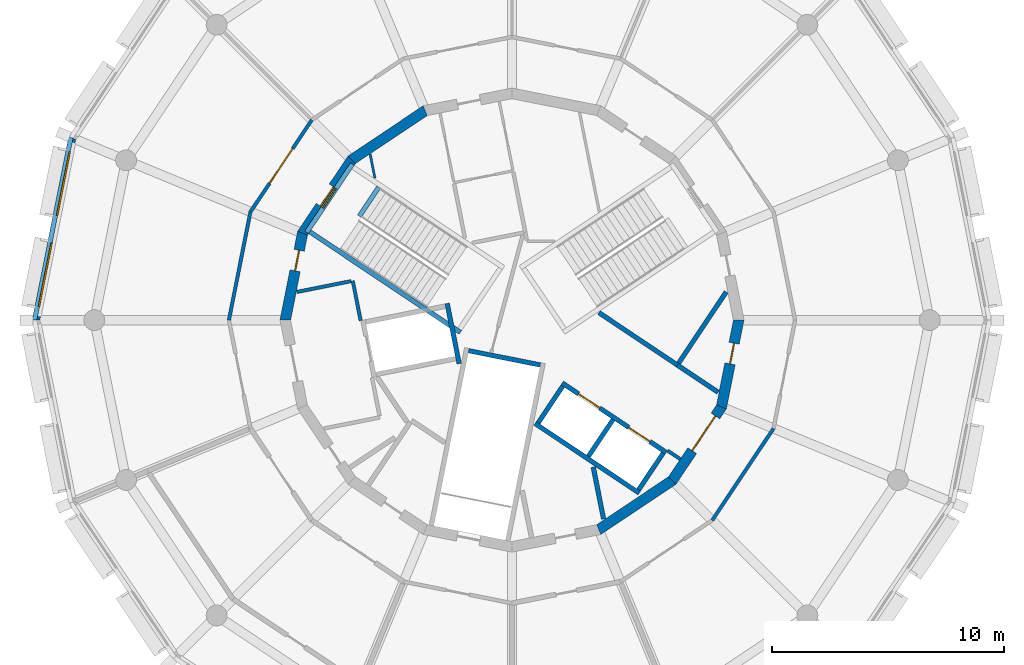
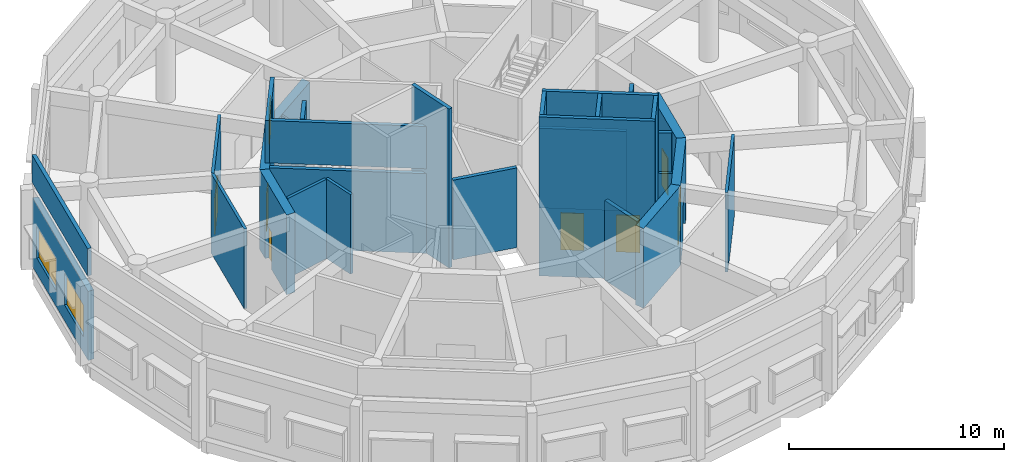
# One storey, part 4 of 8: 30 walls, 8 doors, 2 windows, 10 openings.
"""IFC4 building model written with IfcOpenShell, lengths in metres."""

from ifc_helpers import new_model, si_unit, direction, frame, frame_2d, origin, place, context, subcontext, project, spatial, polyline, rectangle, outline, extrude, material, layer, layer_set, type_object, element, fill, save


model = new_model("IFC4")

# Units and contexts
model_context = context("Model", 3, precision=1e-05, world=origin(), true_north=direction((0.0, 1.0)))
body_context = subcontext(model_context, "Body", "Model", "MODEL_VIEW")
ifc_project = project(units=[si_unit("LENGTHUNIT", "METRE"), si_unit("AREAUNIT", "SQUARE_METRE"), si_unit("VOLUMEUNIT", "CUBIC_METRE"), si_unit("PLANEANGLEUNIT", "RADIAN"), si_unit("MASSUNIT", "GRAM", prefix="KILO")], contexts=[model_context])

# Site, building, storey
site_placement = place(None, origin())
site = spatial("IfcSite", under=ifc_project, at=site_placement, CompositionType="ELEMENT")
building_placement = place(site_placement, origin())
building = spatial("IfcBuilding", under=site, at=building_placement, Name="Ceibo Conservatory and Research Tower", CompositionType="ELEMENT")
storey_placement = place(building_placement, frame((0.0, 0.0, 20.39990234375)))
storey = spatial("IfcBuildingStorey", under=building, at=storey_placement, Name="L04", CompositionType="ELEMENT", Elevation=20.39990234375)

# Walls
ifc_material_1 = material(Name="Plasterboard on metal studs")
ifc_layer_1 = layer(ifc_material_1, 0.10009765625)
ifc_layer_set_1 = layer_set([ifc_layer_1], Name="Plasterboard on metal studs")
wall_type_1 = type_object("IfcWallType", Name="Core partition 100", PredefinedType="PARTITIONING", material=ifc_layer_set_1)
wall_1_placement = place(storey_placement, frame((42.092529296875, 126.120361328125, 0.0), z_axis=(0.0, 0.0, 1.0), x_axis=(-0.195175461866, 0.980768341192, 0.0)))
element("IfcWall", 1, at=wall_1_placement, inside=storey, type_object=wall_type_1, Name="Core partition 04.P014", PredefinedType="PARTITIONING", context=body_context, shape_type="SweptSolid", body=[
    extrude(rectangle(XDim=1.04833984375, YDim=0.10009765625, at=frame_2d((0.524169921875, 0.0))), origin(), (0.0, 0.0, 1.0), 4.52001953125),
])
ifc_material_2 = material(Name="Concrete C35/45", Category="concrete")
ifc_layer_2 = layer(ifc_material_2, 0.449951171875)
ifc_layer_set_2 = layer_set([ifc_layer_2], Name="Concrete C35/45")
wall_type_2 = type_object("IfcWallType", Name="Core wall 450 C35", PredefinedType="SHEAR", material=ifc_layer_set_2)
wall_2_placement = place(storey_placement, frame((44.260986328125, 129.02685546875, 0.0), z_axis=(0.0, 0.0, 1.0), x_axis=(-0.83148829117, -0.555542277102, 0.0)))
element("IfcWall", 2, at=wall_2_placement, inside=storey, type_object=wall_type_2, Name="Core wall L04 06", PredefinedType="SHEAR", context=body_context, shape_type="SweptSolid", body=[
    extrude(outline(polyline([(-0.044677734375, -0.22509765625), (3.85693359375, -0.22509765625), (3.767578125, 0.22509765625), (0.044677734375, 0.22509765625), (-0.044677734375, -0.22509765625)])), origin(), (0.0, 0.0, 1.0), 4.52001953125),
])

# Wall, opening, door
wall_3_placement = place(storey_placement, frame((41.091064453125, 126.908935546875, 0.0), z_axis=(0.0, 0.0, 1.0), x_axis=(-0.555542277102, -0.83148829117, 0.0)))
wall_3 = element("IfcWall", 3, at=wall_3_placement, inside=storey, type_object=wall_type_2, Name="Core wall L04 07", PredefinedType="SHEAR", context=body_context, shape_type="SweptSolid", body=[
    extrude(outline(polyline([(-0.044677734375, -0.22509765625), (3.85693359375, -0.22509765625), (3.767578125, 0.22509765625), (0.044677734375, 0.22509765625), (-0.044677734375, -0.22509765625)])), origin(), (0.0, 0.0, 1.0), 4.52001953125),
])
opening_1_placement = place(wall_3_placement, frame((1.40625, 0.0, 0.0)))
opening_1 = element("IfcOpeningElement", 4, at=opening_1_placement, cuts=wall_3, Name="Opening C04-02", PredefinedType="OPENING", context=body_context, shape_type="SweptSolid", body=[
    extrude(rectangle(XDim=1.0, YDim=2.10009765625, at=frame_2d((0.5, 1.050048828125))), frame((0.0, 0.23486328125, 0.0), z_axis=(0.0, -1.0, 0.0), x_axis=(1.0, 0.0, 0.0)), (0.0, 0.0, 1.0), 0.469970703125),
])
ifc_material_3 = material(Name="Galvanised sheet steel DX51D", Category="steel")
door_type_1 = type_object("IfcDoorType", Name="Stair door 1000x2100 EI 120 (right hand)", OperationType="SINGLE_SWING_RIGHT", PredefinedType="DOOR", material=ifc_material_3)
door_1_placement = place(opening_1_placement, origin())
door_1 = element("IfcDoor", 5, at=door_1_placement, inside=storey, type_object=door_type_1, Name="Stair door ST2 04", OperationType="SINGLE_SWING_RIGHT", OverallHeight=2.10009765625, OverallWidth=1.0, PredefinedType="DOOR", context=body_context, shape_type="SweptSolid", body=[
    extrude(rectangle(XDim=1.0, YDim=2.10009765625, at=frame_2d((0.5, 1.050048828125))), frame((0.0, 0.02490234375, 0.0), z_axis=(0.0, -1.0, 0.0), x_axis=(1.0, 0.0, 0.0)), (0.0, 0.0, 1.0), 0.050048828125),
])
fill(opening_1, door_1)

wall_4_placement = place(storey_placement, frame((38.97314453125, 123.739013671875, 0.0), z_axis=(0.0, 0.0, 1.0), x_axis=(-0.195069197673, -0.98078948206, 0.0)))
wall_4 = element("IfcWall", 6, at=wall_4_placement, inside=storey, type_object=wall_type_2, Name="Core wall L04 08", PredefinedType="SHEAR", context=body_context, shape_type="SweptSolid", body=[
    extrude(outline(polyline([(-0.044677734375, -0.22509765625), (3.85693359375, -0.22509765625), (3.767578125, 0.22509765625), (0.044677734375, 0.22509765625), (-0.044677734375, -0.22509765625)])), origin(), (0.0, 0.0, 1.0), 4.52001953125),
])
opening_2_placement = place(wall_4_placement, frame((0.74462890625, 0.0, 0.0)))
opening_2 = element("IfcOpeningElement", 7, at=opening_2_placement, cuts=wall_4, Name="Opening C04-12", PredefinedType="OPENING", context=body_context, shape_type="SweptSolid", body=[
    extrude(rectangle(XDim=0.89990234375, YDim=2.10009765625, at=frame_2d((0.449951171875, 1.050048828125))), frame((0.0, 0.23486328125, 0.0), z_axis=(0.0, -1.0, 0.0), x_axis=(1.0, 0.0, 0.0)), (0.0, 0.0, 1.0), 0.469970703125),
])
door_type_2 = type_object("IfcDoorType", Name="Riser door 900x2100 EI 60 (left hand)", OperationType="SINGLE_SWING_LEFT", PredefinedType="DOOR", material=ifc_material_3)
door_2_placement = place(opening_2_placement, origin())
door_2 = element("IfcDoor", 8, at=door_2_placement, inside=storey, type_object=door_type_2, Name="Store door 04", OperationType="SINGLE_SWING_LEFT", OverallHeight=2.10009765625, OverallWidth=0.89990234375, PredefinedType="DOOR", context=body_context, shape_type="SweptSolid", body=[
    extrude(rectangle(XDim=0.89990234375, YDim=2.10009765625, at=frame_2d((0.449951171875, 1.050048828125))), frame((0.0, 0.02490234375, 0.0), z_axis=(0.0, -1.0, 0.0), x_axis=(1.0, 0.0, 0.0)), (0.0, 0.0, 1.0), 0.050048828125),
])
fill(opening_2, door_2)

# Wall
wall_5_placement = place(storey_placement, frame((51.739013671875, 110.97314453125, 0.0), z_axis=(0.0, 0.0, 1.0), x_axis=(0.83148829117, 0.555542277102, 0.0)))
element("IfcWall", 9, at=wall_5_placement, inside=storey, type_object=wall_type_2, Name="Core wall L04 14", PredefinedType="SHEAR", context=body_context, shape_type="SweptSolid", body=[
    extrude(outline(polyline([(-0.044677734375, -0.22509765625), (3.85693359375, -0.22509765625), (3.767578125, 0.22509765625), (0.044677734375, 0.22509765625), (-0.044677734375, -0.22509765625)])), origin(), (0.0, 0.0, 1.0), 4.52001953125),
])

# Wall, opening, door
wall_6_placement = place(storey_placement, frame((54.908935546875, 113.091064453125, 0.0), z_axis=(0.0, 0.0, 1.0), x_axis=(0.555542277102, 0.83148829117, 0.0)))
wall_6 = element("IfcWall", 10, at=wall_6_placement, inside=storey, type_object=wall_type_2, Name="Core wall L04 15", PredefinedType="SHEAR", context=body_context, shape_type="SweptSolid", body=[
    extrude(outline(polyline([(-0.044677734375, -0.22509765625), (3.85693359375, -0.22509765625), (3.767578125, 0.22509765625), (0.044677734375, 0.22509765625), (-0.044677734375, -0.22509765625)])), origin(), (0.0, 0.0, 1.0), 4.52001953125),
])
opening_3_placement = place(wall_6_placement, frame((1.544677734375, 0.0, 0.0)))
opening_3 = element("IfcOpeningElement", 11, at=opening_3_placement, cuts=wall_6, Name="Opening C04-13", PredefinedType="OPENING", context=body_context, shape_type="SweptSolid", body=[
    extrude(rectangle(XDim=1.800048828125, YDim=2.10009765625, at=frame_2d((0.89990234375, 1.050048828125))), frame((0.0, 0.23486328125, 0.0), z_axis=(0.0, -1.0, 0.0), x_axis=(1.0, 0.0, 0.0)), (0.0, 0.0, 1.0), 0.469970703125),
])
door_type_3 = type_object("IfcDoorType", Name="Lobby double door 1800x2100 EI 60", OperationType="DOUBLE_DOOR_SINGLE_SWING", PredefinedType="DOOR", material=ifc_material_3)
door_3_placement = place(opening_3_placement, frame((1.800048828125, 0.0, 0.0), z_axis=(0.0, 0.0, 1.0), x_axis=(-1.0, 0.0, 0.0)))
door_3 = element("IfcDoor", 12, at=door_3_placement, inside=storey, type_object=door_type_3, Name="Lift Lobby door 04", OperationType="DOUBLE_DOOR_SINGLE_SWING", OverallHeight=2.10009765625, OverallWidth=1.800048828125, PredefinedType="DOOR", context=body_context, shape_type="SweptSolid", body=[
    extrude(rectangle(XDim=1.800048828125, YDim=2.10009765625, at=frame_2d((0.89990234375, 1.050048828125))), frame((0.0, 0.02490234375, 0.0), z_axis=(0.0, -1.0, 0.0), x_axis=(1.0, 0.0, 0.0)), (0.0, 0.0, 1.0), 0.050048828125),
])
fill(opening_3, door_3)

wall_7_placement = place(storey_placement, frame((57.02685546875, 116.260986328125, 0.0), z_axis=(0.0, 0.0, 1.0), x_axis=(0.195069197673, 0.98078948206, 0.0)))
wall_7 = element("IfcWall", 13, at=wall_7_placement, inside=storey, type_object=wall_type_2, Name="Core wall L04 16", PredefinedType="SHEAR", context=body_context, shape_type="SweptSolid", body=[
    extrude(outline(polyline([(-0.044677734375, -0.22509765625), (3.85693359375, -0.22509765625), (3.767578125, 0.22509765625), (0.044677734375, 0.22509765625), (-0.044677734375, -0.22509765625)])), origin(), (0.0, 0.0, 1.0), 4.52001953125),
])
opening_4_placement = place(wall_7_placement, frame((1.894775390625, 0.0, 0.0)))
opening_4 = element("IfcOpeningElement", 14, at=opening_4_placement, cuts=wall_7, Name="Opening C04-05", PredefinedType="OPENING", context=body_context, shape_type="SweptSolid", body=[
    extrude(rectangle(XDim=0.89990234375, YDim=2.10009765625, at=frame_2d((0.449951171875, 1.050048828125))), frame((0.0, 0.23486328125, 0.0), z_axis=(0.0, -1.0, 0.0), x_axis=(1.0, 0.0, 0.0)), (0.0, 0.0, 1.0), 0.469970703125),
])
door_type_4 = type_object("IfcDoorType", Name="Riser door 900x2100 EI 60 (right hand)", OperationType="SINGLE_SWING_RIGHT", PredefinedType="DOOR", material=ifc_material_3)
door_4_placement = place(opening_4_placement, frame((0.89990234375, 0.0, 0.0), z_axis=(0.0, 0.0, 1.0), x_axis=(-1.0, 0.0, 0.0)))
door_4 = element("IfcDoor", 15, at=door_4_placement, inside=storey, type_object=door_type_4, Name="Electrical Riser door 04", OperationType="SINGLE_SWING_RIGHT", OverallHeight=2.10009765625, OverallWidth=0.89990234375, PredefinedType="DOOR", context=body_context, shape_type="SweptSolid", body=[
    extrude(rectangle(XDim=0.89990234375, YDim=2.10009765625, at=frame_2d((0.449951171875, 1.050048828125))), frame((0.0, 0.02490234375, 0.0), z_axis=(0.0, -1.0, 0.0), x_axis=(1.0, 0.0, 0.0)), (0.0, 0.0, 1.0), 0.050048828125),
])
fill(opening_4, door_4)

# Walls
ifc_material_4 = material(Name="Plasterboard on metal studs, fire board")
ifc_layer_3 = layer(ifc_material_4, 0.14990234375)
ifc_layer_set_3 = layer_set([ifc_layer_3], Name="Plasterboard on metal studs, fire board")
wall_type_3 = type_object("IfcWallType", Name="Corridor wall 150 EI 60", PredefinedType="PARTITIONING", material=ifc_layer_set_3)
wall_8_placement = place(storey_placement, frame((41.47900390625, 119.977294921875, 0.0), z_axis=(0.0, 0.0, 1.0), x_axis=(-0.19501613536, 0.98080003413, 0.0)))
element("IfcWall", 16, at=wall_8_placement, inside=storey, type_object=wall_type_3, Name="Core partition 04.P006", PredefinedType="PARTITIONING", context=body_context, shape_type="SweptSolid", body=[
    extrude(rectangle(XDim=1.750244140625, YDim=0.14990234375, at=frame_2d((0.875, 0.0))), origin(), (0.0, 0.0, 1.0), 4.52001953125),
])
wall_9_placement = place(storey_placement, frame((41.064208984375, 121.67919921875, 0.0), z_axis=(0.0, 0.0, 1.0), x_axis=(-0.980781272394, -0.195110470559, 0.0)))
element("IfcWall", 17, at=wall_9_placement, inside=storey, type_object=wall_type_3, Name="Core partition 04.P007", PredefinedType="PARTITIONING", context=body_context, shape_type="SweptSolid", body=[
    extrude(rectangle(XDim=2.381103515625, YDim=0.14990234375, at=frame_2d((1.1904296875, 0.0))), origin(), (0.0, 0.0, 1.0), 4.52001953125),
])
wall_10_placement = place(storey_placement, frame((54.7060546875, 114.376708984375, 0.0), z_axis=(0.0, 0.0, 1.0), x_axis=(0.831421626399, -0.555642042286, 0.0)))
element("IfcWall", 18, at=wall_10_placement, inside=storey, type_object=wall_type_3, Name="Core partition 04.P024", PredefinedType="PARTITIONING", context=body_context, shape_type="SweptSolid", body=[
    extrude(rectangle(XDim=0.65771484375, YDim=0.14990234375, at=frame_2d((0.328857421875, 0.0))), origin(), (0.0, 0.0, 1.0), 4.52001953125),
])
wall_11_placement = place(storey_placement, frame((35.800048828125, 120.0, 0.0), z_axis=(0.0, 0.0, 1.0), x_axis=(0.195100129956, 0.980783329432, 0.0)))
element("IfcWall", 19, at=wall_11_placement, inside=storey, type_object=wall_type_3, Name="Partition 04.007", PredefinedType="PARTITIONING", context=body_context, shape_type="SweptSolid", body=[
    extrude(rectangle(XDim=4.76025390625, YDim=0.14990234375, at=frame_2d((2.380126953125, 0.0))), origin(), (0.0, 0.0, 1.0), 4.52001953125),
])

# Wall, opening, door
wall_12_placement = place(storey_placement, frame((36.728759765625, 124.668701171875, 0.0), z_axis=(0.0, 0.0, 1.0), x_axis=(0.555552075851, 0.831481744248, 0.0)))
wall_12 = element("IfcWall", 20, at=wall_12_placement, inside=storey, type_object=wall_type_3, Name="Partition 04.008", PredefinedType="PARTITIONING", context=body_context, shape_type="SweptSolid", body=[
    extrude(rectangle(XDim=4.76025390625, YDim=0.14990234375, at=frame_2d((2.380126953125, 0.0))), origin(), (0.0, 0.0, 1.0), 4.52001953125),
])
opening_5_placement = place(wall_12_placement, frame((1.480224609375, 0.0, 0.0)))
opening_5 = element("IfcOpeningElement", 21, at=opening_5_placement, cuts=wall_12, Name="Opening T04-13", PredefinedType="OPENING", context=body_context, shape_type="SweptSolid", body=[
    extrude(rectangle(XDim=1.800048828125, YDim=2.10009765625, at=frame_2d((0.89990234375, 1.050048828125))), frame((0.0, 0.0849609375, 0.0), z_axis=(0.0, -1.0, 0.0), x_axis=(1.0, 0.0, 0.0)), (0.0, 0.0, 1.0), 0.169921875),
])
door_type_5 = type_object("IfcDoorType", Name="Door fire double 1800x2100 EI 60", OperationType="DOUBLE_DOOR_SINGLE_SWING", PredefinedType="DOOR", material=ifc_material_3)
door_5_placement = place(opening_5_placement, frame((1.800048828125, 0.0, 0.0), z_axis=(0.0, 0.0, 1.0), x_axis=(-1.0, 0.0, 0.0)))
door_5 = element("IfcDoor", 22, at=door_5_placement, inside=storey, type_object=door_type_5, Name="Door T04-13", OperationType="DOUBLE_DOOR_SINGLE_SWING", OverallHeight=2.10009765625, OverallWidth=1.800048828125, PredefinedType="DOOR", context=body_context, shape_type="SweptSolid", body=[
    extrude(rectangle(XDim=1.800048828125, YDim=2.10009765625, at=frame_2d((0.89990234375, 1.050048828125))), frame((0.0, 0.02490234375, 0.0), z_axis=(0.0, -1.0, 0.0), x_axis=(1.0, 0.0, 0.0)), (0.0, 0.0, 1.0), 0.050048828125),
])
fill(opening_5, door_5)

# Wall
wall_13_placement = place(storey_placement, frame((59.271240234375, 115.331298828125, 0.0), z_axis=(0.0, 0.0, 1.0), x_axis=(-0.555552075851, -0.831481744248, 0.0)))
element("IfcWall", 23, at=wall_13_placement, inside=storey, type_object=wall_type_3, Name="Partition 04.015", PredefinedType="PARTITIONING", context=body_context, shape_type="SweptSolid", body=[
    extrude(rectangle(XDim=4.76025390625, YDim=0.14990234375, at=frame_2d((2.380126953125, 0.0))), origin(), (0.0, 0.0, 1.0), 4.52001953125),
])

# Wall, openings, windows
ifc_material_5 = material(Name="Ceramic mosaic tessera")
ifc_layer_4 = layer(ifc_material_5, 0.010009765625, Name="Ceramic mosaic")
ifc_material_6 = material(Name="Polymer-modified bedding mortar")
ifc_layer_5 = layer(ifc_material_6, 0.014892578125, Name="Bedding mortar")
ifc_material_7 = material(Name="Mineral wool insulation")
ifc_layer_6 = layer(ifc_material_7, 0.050048828125, Name="Insulation")
ifc_material_8 = material(Name="Concrete C30/37", Category="concrete")
ifc_layer_7 = layer(ifc_material_8, 0.215087890625, Name="Reinforced concrete leaf")
ifc_material_9 = material(Name="Gypsum plaster")
ifc_layer_8 = layer(ifc_material_9, 0.010009765625, Name="Internal plaster")
ifc_layer_set_4 = layer_set([ifc_layer_4, ifc_layer_5, ifc_layer_6, ifc_layer_7, ifc_layer_8], Name="Concrete C30/37")
wall_type_4 = type_object("IfcWallType", Name="Facade panel wall 300", PredefinedType="SOLIDWALL", material=ifc_layer_set_4)
wall_14_placement = place(storey_placement, frame((29.060546875, 127.844970703125, 0.0), z_axis=(0.0, 0.0, 1.0), x_axis=(-0.195100566, -0.980783242692, 0.0)))
wall_14 = element("IfcWall", 24, at=wall_14_placement, inside=storey, type_object=wall_type_4, Name="Facade wall L04 facet 8", PredefinedType="SOLIDWALL", context=body_context, shape_type="SweptSolid", body=[
    extrude(outline(polyline([(-0.02978515625, -0.14990234375), (8.028564453125, -0.14990234375), (7.968994140625, 0.14990234375), (0.02978515625, 0.14990234375), (-0.02978515625, -0.14990234375)])), origin(), (0.0, 0.0, 1.0), 3.920166015625),
])
opening_6_placement = place(wall_14_placement, frame((0.599609375, 0.0, 0.89990234375)))
opening_6 = element("IfcOpeningElement", 25, at=opening_6_placement, cuts=wall_14, Name="Opening PW2", PredefinedType="OPENING", context=body_context, shape_type="SweptSolid", body=[
    extrude(rectangle(XDim=2.800048828125, YDim=1.800048828125, at=frame_2d((1.39990234375, 0.89990234375))), frame((0.0, 0.159912109375, 0.0), z_axis=(0.0, -1.0, 0.0), x_axis=(1.0, 0.0, 0.0)), (0.0, 0.0, 1.0), 0.320068359375),
])
opening_7_placement = place(wall_14_placement, frame((4.59912109375, 0.0, 0.89990234375)))
opening_7 = element("IfcOpeningElement", 26, at=opening_7_placement, cuts=wall_14, Name="Opening PW2", PredefinedType="OPENING", context=body_context, shape_type="SweptSolid", body=[
    extrude(rectangle(XDim=2.800048828125, YDim=1.800048828125, at=frame_2d((1.39990234375, 0.89990234375))), frame((0.0, 0.159912109375, 0.0), z_axis=(0.0, -1.0, 0.0), x_axis=(1.0, 0.0, 0.0)), (0.0, 0.0, 1.0), 0.320068359375),
])
ifc_material_10 = material(Name="Aluminium frame with double glazing", Category="aluminium")
window_type = type_object("IfcWindowType", Name="Punched window PW1 2800 x 1800", PartitioningType="DOUBLE_PANEL_VERTICAL", PredefinedType="WINDOW", material=ifc_material_10)
window_1_placement = place(opening_6_placement, origin())
window_1 = element("IfcWindow", 27, at=window_1_placement, inside=storey, type_object=window_type, Name="T.L04.F07.WIN.1", OverallHeight=1.800048828125, OverallWidth=2.800048828125, PartitioningType="DOUBLE_PANEL_VERTICAL", PredefinedType="WINDOW", context=body_context, shape_type="SweptSolid", body=[
    extrude(rectangle(XDim=2.800048828125, YDim=1.800048828125, at=frame_2d((1.39990234375, 0.89990234375))), frame((0.0, 0.030029296875, 0.0), z_axis=(0.0, -1.0, 0.0), x_axis=(1.0, 0.0, 0.0)), (0.0, 0.0, 1.0), 0.06005859375),
])
fill(opening_6, window_1)
window_2_placement = place(opening_7_placement, origin())
window_2 = element("IfcWindow", 28, at=window_2_placement, inside=storey, type_object=window_type, Name="T.L04.F07.WIN.2", OverallHeight=1.800048828125, OverallWidth=2.800048828125, PartitioningType="DOUBLE_PANEL_VERTICAL", PredefinedType="WINDOW", context=body_context, shape_type="SweptSolid", body=[
    extrude(rectangle(XDim=2.800048828125, YDim=1.800048828125, at=frame_2d((1.39990234375, 0.89990234375))), frame((0.0, 0.030029296875, 0.0), z_axis=(0.0, -1.0, 0.0), x_axis=(1.0, 0.0, 0.0)), (0.0, 0.0, 1.0), 0.06005859375),
])
fill(opening_7, window_2)

# Walls
ifc_layer_9 = layer(ifc_material_5, 0.010009765625, Name="Ceramic mosaic")
ifc_layer_10 = layer(ifc_material_8, 0.18994140625, Name="Reinforced concrete leaf")
ifc_layer_set_5 = layer_set([ifc_layer_9, ifc_layer_10], Name="Concrete C30/37")
wall_type_5 = type_object("IfcWallType", Name="Parapet wall 200", PredefinedType="PARAPET", material=ifc_layer_set_5)
wall_15_placement = place(storey_placement, frame((28.98974609375, 127.874267578125, 4.800048828125), z_axis=(0.0, 0.0, 1.0), x_axis=(-0.195075093926, -0.980788309336, 0.0)))
element("IfcWall", 29, at=wall_15_placement, inside=storey, type_object=wall_type_5, Name="Parapet L04 8", PredefinedType="PARAPET", context=body_context, shape_type="SweptSolid", body=[
    extrude(outline(polyline([(-0.019775390625, -0.10009765625), (8.04833984375, -0.10009765625), (8.0087890625, 0.10009765625), (0.019775390625, 0.10009765625), (-0.019775390625, -0.10009765625)])), origin(), (0.0, 0.0, 1.0), 1.550048828125),
])
ifc_material_11 = material(Name="Masonry blockwork", Category="masonry")
ifc_layer_11 = layer(ifc_material_11, 0.199951171875)
ifc_layer_set_6 = layer_set([ifc_layer_11], Name="Masonry blockwork")
wall_type_6 = type_object("IfcWallType", Name="Riser wall 200 EI 120", PredefinedType="SOLIDWALL", material=ifc_layer_set_6)
wall_16_placement = place(storey_placement, frame((55.1259765625, 118.06494140625, 0.0), z_axis=(0.0, 0.0, 1.0), x_axis=(-0.831495502265, 0.555531483998, 0.0)))
element("IfcWall", 30, at=wall_16_placement, inside=storey, type_object=wall_type_6, Name="Core partition 04.P001", PredefinedType="SOLIDWALL", context=body_context, shape_type="SweptSolid", body=[
    extrude(rectangle(XDim=4.065185546875, YDim=0.199951171875, at=frame_2d((2.03271484375, 0.0))), origin(), (0.0, 0.0, 1.0), 4.52001953125),
])
wall_17_placement = place(storey_placement, frame((57.23095703125, 121.21533203125, 0.0), z_axis=(0.0, 0.0, 1.0), x_axis=(-0.555600969312, -0.831449074147, 0.0)))
element("IfcWall", 31, at=wall_17_placement, inside=storey, type_object=wall_type_6, Name="Core partition 04.P002", PredefinedType="SOLIDWALL", context=body_context, shape_type="SweptSolid", body=[
    extrude(rectangle(XDim=3.68896484375, YDim=0.199951171875, at=frame_2d((1.844482421875, 0.0))), origin(), (0.0, 0.0, 1.0), 4.52001953125),
])
wall_18_placement = place(storey_placement, frame((56.884765625, 116.8896484375, 0.0), z_axis=(0.0, 0.0, 1.0), x_axis=(-0.831446094913, 0.555605427667, 0.0)))
element("IfcWall", 32, at=wall_18_placement, inside=storey, type_object=wall_type_6, Name="Core partition 04.P003", PredefinedType="SOLIDWALL", context=body_context, shape_type="SweptSolid", body=[
    extrude(rectangle(XDim=2.115234375, YDim=0.199951171875, at=frame_2d((1.0576171875, 0.0))), origin(), (0.0, 0.0, 1.0), 4.52001953125),
])
wall_19_placement = place(storey_placement, frame((51.502197265625, 113.67041015625, 0.0), z_axis=(0.0, 0.0, 1.0), x_axis=(0.19508928515, -0.980785486648, 0.0)))
element("IfcWall", 33, at=wall_19_placement, inside=storey, type_object=wall_type_6, Name="Core partition 04.P023", PredefinedType="SOLIDWALL", context=body_context, shape_type="SweptSolid", body=[
    extrude(rectangle(XDim=2.286376953125, YDim=0.199951171875, at=frame_2d((1.14306640625, 0.0))), origin(), (0.0, 0.0, 1.0), 4.52001953125),
])
ifc_layer_12 = layer(ifc_material_2, 0.199951171875)
ifc_layer_set_7 = layer_set([ifc_layer_12], Name="Concrete C35/45")
wall_type_7 = type_object("IfcWallType", Name="Roof stair guard wall 200 C35", PredefinedType="SOLIDWALL", material=ifc_layer_set_7)
wall_20_placement = place(storey_placement, frame((42.25830078125, 125.730712890625, 4.9599609375), z_axis=(0.0, 0.0, 1.0), x_axis=(-0.555488691107, -0.831524091083, 0.0)))
element("IfcWall", 34, at=wall_20_placement, inside=storey, type_object=wall_type_7, Name="Roof stair guard wall ST2", PredefinedType="SOLIDWALL", context=body_context, shape_type="SweptSolid", body=[
    extrude(rectangle(XDim=1.5, YDim=0.199951171875, at=frame_2d((0.75, 0.0))), origin(), (0.0, 0.0, 1.0), 1.10009765625),
])

# Wall, openings, doors
ifc_layer_13 = layer(ifc_material_2, 0.199951171875)
ifc_layer_set_8 = layer_set([ifc_layer_13], Name="Concrete C35/45")
wall_type_8 = type_object("IfcWallType", Name="Shaft wall 200 C35", PredefinedType="SHEAR", material=ifc_layer_set_8)
wall_21_placement = place(storey_placement, frame((50.160400390625, 117.29345703125, 0.0), z_axis=(0.0, 0.0, 1.0), x_axis=(0.831479497601, -0.55555543834, 0.0)))
wall_21 = element("IfcWall", 35, at=wall_21_placement, inside=storey, type_object=wall_type_8, Name="Shaft wall LRB.F L04", PredefinedType="SHEAR", context=body_context, shape_type="SweptSolid", body=[
    extrude(rectangle(XDim=5.39990234375, YDim=0.199951171875, at=frame_2d((2.699951171875, 0.0))), origin(), (0.0, 0.0, 1.0), 9.02001953125),
])
opening_8_placement = place(wall_21_placement, frame((0.85009765625, 0.0, 0.0)))
opening_8 = element("IfcOpeningElement", 36, at=opening_8_placement, cuts=wall_21, Name="Opening LD-LP1-04", PredefinedType="OPENING", context=body_context, shape_type="SweptSolid", body=[
    extrude(rectangle(XDim=1.10009765625, YDim=2.10009765625, at=frame_2d((0.550048828125, 1.050048828125))), frame((0.0, 0.10986328125, 0.0), z_axis=(0.0, -1.0, 0.0), x_axis=(1.0, 0.0, 0.0)), (0.0, 0.0, 1.0), 0.219970703125),
])
opening_9_placement = place(wall_21_placement, frame((3.4501953125, 0.0, 0.0)))
opening_9 = element("IfcOpeningElement", 37, at=opening_9_placement, cuts=wall_21, Name="Opening LD-LP2-04", PredefinedType="OPENING", context=body_context, shape_type="SweptSolid", body=[
    extrude(rectangle(XDim=1.10009765625, YDim=2.10009765625, at=frame_2d((0.550048828125, 1.050048828125))), frame((0.0, 0.10986328125, 0.0), z_axis=(0.0, -1.0, 0.0), x_axis=(1.0, 0.0, 0.0)), (0.0, 0.0, 1.0), 0.219970703125),
])
ifc_material_12 = material(Name="Stainless steel AISI 316", Category="steel")
door_type_6 = type_object("IfcDoorType", Name="Lift landing door 1100x2100 EI 120", OperationType="SLIDING_TO_LEFT", PredefinedType="DOOR", material=ifc_material_12)
door_6_placement = place(opening_8_placement, origin())
door_6 = element("IfcDoor", 38, at=door_6_placement, inside=storey, type_object=door_type_6, Name="Lift landing door LP1 04", OperationType="SLIDING_TO_LEFT", OverallHeight=2.10009765625, OverallWidth=1.10009765625, PredefinedType="DOOR", context=body_context, shape_type="SweptSolid", body=[
    extrude(rectangle(XDim=1.10009765625, YDim=2.10009765625, at=frame_2d((0.550048828125, 1.050048828125))), frame((0.0, 0.02490234375, 0.0), z_axis=(0.0, -1.0, 0.0), x_axis=(1.0, 0.0, 0.0)), (0.0, 0.0, 1.0), 0.050048828125),
])
fill(opening_8, door_6)
door_7_placement = place(opening_9_placement, origin())
door_7 = element("IfcDoor", 39, at=door_7_placement, inside=storey, type_object=door_type_6, Name="Lift landing door LP2 04", OperationType="SLIDING_TO_LEFT", OverallHeight=2.10009765625, OverallWidth=1.10009765625, PredefinedType="DOOR", context=body_context, shape_type="SweptSolid", body=[
    extrude(rectangle(XDim=1.10009765625, YDim=2.10009765625, at=frame_2d((0.550048828125, 1.050048828125))), frame((0.0, 0.02490234375, 0.0), z_axis=(0.0, -1.0, 0.0), x_axis=(1.0, 0.0, 0.0)), (0.0, 0.0, 1.0), 0.050048828125),
])
fill(opening_9, door_7)

# Walls
wall_22_placement = place(storey_placement, frame((48.993896484375, 115.547607421875, 0.0), z_axis=(0.0, 0.0, 1.0), x_axis=(0.831444656906, -0.555607579593, 0.0)))
element("IfcWall", 40, at=wall_22_placement, inside=storey, type_object=wall_type_8, Name="Shaft wall LRB.B L04", PredefinedType="SHEAR", context=body_context, shape_type="SweptSolid", body=[
    extrude(rectangle(XDim=5.39990234375, YDim=0.199951171875, at=frame_2d((2.699951171875, 0.0))), origin(), (0.0, 0.0, 1.0), 9.02001953125),
])
wall_23_placement = place(storey_placement, frame((50.18798828125, 117.15478515625, 0.0), z_axis=(0.0, 0.0, 1.0), x_axis=(-0.555559945722, -0.831476485963, 0.0)))
element("IfcWall", 41, at=wall_23_placement, inside=storey, type_object=wall_type_8, Name="Shaft wall LRB.X0 L04", PredefinedType="SHEAR", context=body_context, shape_type="SweptSolid", body=[
    extrude(rectangle(XDim=1.899658203125, YDim=0.199951171875, at=frame_2d((0.94970703125, 0.0))), origin(), (0.0, 0.0, 1.0), 9.02001953125),
])
wall_24_placement = place(storey_placement, frame((52.349853515625, 115.71044921875, 0.0), z_axis=(0.0, 0.0, 1.0), x_axis=(-0.55550058618, -0.831516144614, 0.0)))
element("IfcWall", 42, at=wall_24_placement, inside=storey, type_object=wall_type_8, Name="Shaft wall LRB.X1 L04", PredefinedType="SHEAR", context=body_context, shape_type="SweptSolid", body=[
    extrude(rectangle(XDim=1.89990234375, YDim=0.199951171875, at=frame_2d((0.949951171875, 0.0))), origin(), (0.0, 0.0, 1.0), 9.02001953125),
])
wall_25_placement = place(storey_placement, frame((54.51171875, 114.265869140625, 0.0), z_axis=(0.0, 0.0, 1.0), x_axis=(-0.555589423235, -0.83145678949, 0.0)))
element("IfcWall", 43, at=wall_25_placement, inside=storey, type_object=wall_type_8, Name="Shaft wall LRB.X2 L04", PredefinedType="SHEAR", context=body_context, shape_type="SweptSolid", body=[
    extrude(rectangle(XDim=1.900146484375, YDim=0.199951171875, at=frame_2d((0.9501953125, 0.0))), origin(), (0.0, 0.0, 1.0), 9.02001953125),
])
wall_26_placement = place(storey_placement, frame((45.2060546875, 120.71875, 0.0), z_axis=(0.0, 0.0, 1.0), x_axis=(0.195158270522, -0.980771762158, 0.0)))
element("IfcWall", 44, at=wall_26_placement, inside=storey, type_object=wall_type_8, Name="Shaft wall LG1.B L04", PredefinedType="SHEAR", context=body_context, shape_type="SweptSolid", body=[
    extrude(rectangle(XDim=2.64697265625, YDim=0.199951171875, at=frame_2d((1.323486328125, 0.0))), origin(), (0.0, 0.0, 1.0), 9.02001953125),
])
ifc_layer_14 = layer(ifc_material_2, 0.199951171875)
ifc_layer_set_9 = layer_set([ifc_layer_14], Name="Concrete C35/45")
wall_type_9 = type_object("IfcWallType", Name="Stair wall 200 C35", PredefinedType="SHEAR", material=ifc_layer_set_9)
wall_27_placement = place(storey_placement, frame((45.774169921875, 119.472900390625, 0.0), z_axis=(0.0, 0.0, 1.0), x_axis=(-0.831486463828, 0.555545012102, 0.0)))
element("IfcWall", 45, at=wall_27_placement, inside=storey, type_object=wall_type_9, Name="Stair wall ST2.W1 L04", PredefinedType="SHEAR", context=body_context, shape_type="SweptSolid", body=[
    extrude(rectangle(XDim=7.800048828125, YDim=0.199951171875, at=frame_2d((3.89990234375, 0.0))), origin(), (0.0, 0.0, 1.0), 4.52001953125),
])
wall_28_placement = place(storey_placement, frame((46.1318359375, 118.68115234375, 0.0), z_axis=(0.0, 0.0, 1.0), x_axis=(0.980785830564, -0.195087556151, 0.0)))
element("IfcWall", 46, at=wall_28_placement, inside=storey, type_object=wall_type_9, Name="Stair wall ST3.W3 L04", PredefinedType="SHEAR", context=body_context, shape_type="SweptSolid", body=[
    extrude(rectangle(XDim=3.14990234375, YDim=0.199951171875, at=frame_2d((1.574951171875, 0.0))), origin(), (0.0, 0.0, 1.0), 4.52001953125),
])
ifc_layer_15 = layer(ifc_material_2, 0.199951171875)
ifc_layer_set_10 = layer_set([ifc_layer_15], Name="Concrete C35/45")
wall_type_10 = type_object("IfcWallType", Name="Stair wall 200 head house", PredefinedType="SOLIDWALL", material=ifc_layer_set_10)
wall_29_placement = place(storey_placement, frame((45.774169921875, 119.472900390625, 4.800048828125), z_axis=(0.0, 0.0, 1.0), x_axis=(-0.831486463828, 0.555545012102, 0.0)))
element("IfcWall", 47, at=wall_29_placement, inside=storey, type_object=wall_type_10, Name="Stair head house wall ST2 W1", PredefinedType="SOLIDWALL", context=body_context, shape_type="SweptSolid", body=[
    extrude(rectangle(XDim=7.800048828125, YDim=0.199951171875, at=frame_2d((3.89990234375, 0.0))), origin(), (0.0, 0.0, 1.0), 2.39990234375),
])

# Wall, opening, door
wall_30_placement = place(storey_placement, frame((41.122314453125, 126.73046875, 4.800048828125), z_axis=(0.0, 0.0, 1.0), x_axis=(-0.555572709421, -0.831467957619, 0.0)))
wall_30 = element("IfcWall", 48, at=wall_30_placement, inside=storey, type_object=wall_type_10, Name="Stair head house wall ST2 E", PredefinedType="SOLIDWALL", context=body_context, shape_type="SweptSolid", body=[
    extrude(rectangle(XDim=3.55029296875, YDim=0.199951171875, at=frame_2d((1.775146484375, 0.0))), origin(), (0.0, 0.0, 1.0), 2.39990234375),
])
opening_10_placement = place(wall_30_placement, frame((1.275146484375, 0.0, 0.159912109375)))
opening_10 = element("IfcOpeningElement", 49, at=opening_10_placement, cuts=wall_30, Name="Opening RD-ST2", PredefinedType="OPENING", context=body_context, shape_type="SweptSolid", body=[
    extrude(rectangle(XDim=1.0, YDim=2.10009765625, at=frame_2d((0.5, 1.050048828125))), frame((0.0, 0.10986328125, 0.0), z_axis=(0.0, -1.0, 0.0), x_axis=(1.0, 0.0, 0.0)), (0.0, 0.0, 1.0), 0.219970703125),
])
door_type_7 = type_object("IfcDoorType", Name="Stair door 1000x2100 EI 120 (left hand)", OperationType="SINGLE_SWING_LEFT", PredefinedType="DOOR", material=ifc_material_3)
door_8_placement = place(opening_10_placement, origin())
door_8 = element("IfcDoor", 50, at=door_8_placement, inside=storey, type_object=door_type_7, Name="Roof door ST2", OperationType="SINGLE_SWING_LEFT", OverallHeight=2.10009765625, OverallWidth=1.0, PredefinedType="DOOR", context=body_context, shape_type="SweptSolid", body=[
    extrude(rectangle(XDim=1.0, YDim=2.10009765625, at=frame_2d((0.5, 1.050048828125))), frame((0.0, 0.02490234375, 0.0), z_axis=(0.0, -1.0, 0.0), x_axis=(1.0, 0.0, 0.0)), (0.0, 0.0, 1.0), 0.050048828125),
])
fill(opening_10, door_8)

save(model, "model.ifc")
